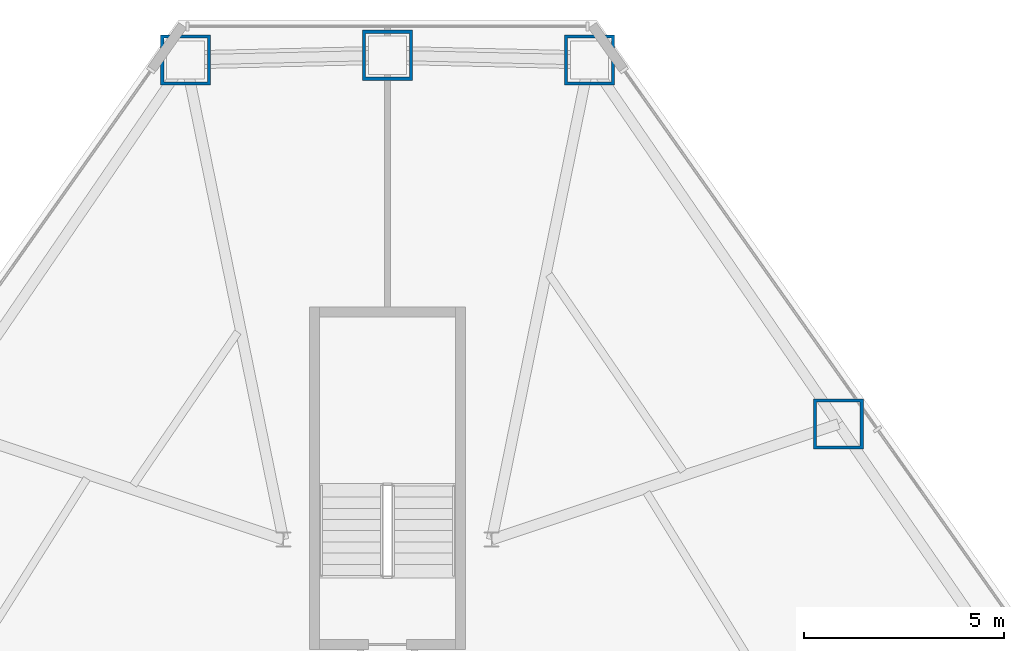
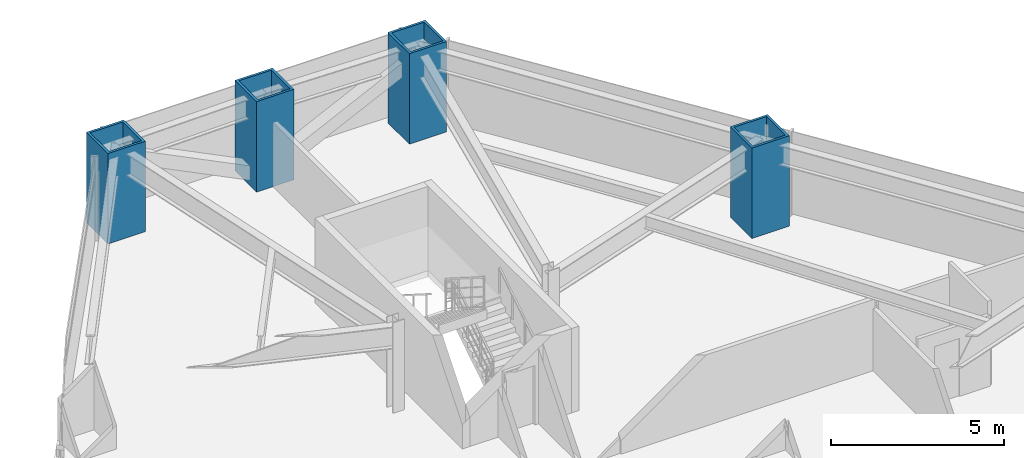
# One storey, part 3 of 12: 4 columns.
"""IFC4 building model written with IfcOpenShell, lengths in metres."""

import ifcopenshell
import ifcopenshell.guid

model = None  # the IFC model being written
_history = None  # IfcOwnerHistory: only IFC2X3 demands one
_inside = {}  # id of a spatial element -> (the spatial element, [elements in it])
_under = {}  # id of a project, library or spatial element -> (it, [spatial elements below it])
_declared = {}  # id of a project -> (the project, [libraries it declares])
_typed = {}  # id of a type object -> (the type object, [elements of that type])
_made_of = {}  # id of a material, layer set ... -> (it, [elements and type objects made of it])


def new_model(schema):
    """Start an empty IFC model of exactly this schema.

    Asked for "IFC4X3", IfcOpenShell would pick the latest addendum, in which some entities
    have other attributes; the version numbers below select the first issue.
    IFC2X3 requires an IfcOwnerHistory on every rooted entity: one is made here for all.
    """
    global model, _history
    if schema == "IFC4X3":
        model = ifcopenshell.file(schema_version=(4, 3, 0, 0))
    else:
        model = ifcopenshell.file(schema=schema)
    _inside.clear()
    _under.clear()
    _declared.clear()
    _typed.clear()
    _made_of.clear()
    _history = None
    if model.schema == "IFC2X3":
        org = make("IfcOrganization", Name="unknown")
        user = make(
            "IfcPersonAndOrganization",
            ThePerson=make("IfcPerson", FamilyName="unknown"),
            TheOrganization=org,
        )
        app = make(
            "IfcApplication",
            ApplicationDeveloper=org,
            Version="unknown",
            ApplicationFullName="unknown",
            ApplicationIdentifier="unknown",
        )
        _history = make(
            "IfcOwnerHistory",
            OwningUser=user,
            OwningApplication=app,
            ChangeAction="ADDED",
            CreationDate=0,
        )
    return model


def make(cls, **values):
    """One entity of the class cls with the attributes given. An attribute that is None is left unset."""
    return model.create_entity(
        cls, **{name: value for name, value in values.items() if value is not None}
    )


def rooted(cls, **values):
    """An entity with a GlobalId (a new one), such as an element, a storey or a relation."""
    return make(cls, GlobalId=ifcopenshell.guid.new(), OwnerHistory=_history, **values)


def si_unit(unit_type, name, prefix=None):
    """IfcSIUnit, for example si_unit("LENGTHUNIT", "METRE", prefix="MILLI")."""
    return make("IfcSIUnit", UnitType=unit_type, Prefix=prefix, Name=name)


def assignment(units):
    """IfcUnitAssignment: the units of a project."""
    return None if units is None else make("IfcUnitAssignment", Units=units)


def point(xyz):
    """IfcCartesianPoint."""
    return None if xyz is None else make("IfcCartesianPoint", Coordinates=xyz)


def direction(xyz):
    """IfcDirection."""
    return None if xyz is None else make("IfcDirection", DirectionRatios=xyz)


def frame(location, z_axis=None, x_axis=None):
    """IfcAxis2Placement3D, a coordinate frame: its origin and axes. An axis left out is left unset."""
    return make(
        "IfcAxis2Placement3D",
        Location=point(location),
        Axis=direction(z_axis),
        RefDirection=direction(x_axis),
    )


def frame_2d(location, x_axis=None):
    """IfcAxis2Placement2D, a coordinate frame in the plane: its origin and x axis."""
    return make(
        "IfcAxis2Placement2D", Location=point(location), RefDirection=direction(x_axis)
    )


def origin():
    """The frame at (0, 0, 0) with its axes left unset."""
    return frame((0.0, 0.0, 0.0))


def origin_2d():
    """The frame at (0, 0) in the plane with its x axis left unset."""
    return frame_2d((0.0, 0.0))


def place(relative_to, where):
    """IfcLocalPlacement: puts the frame where relative to a parent placement (None: the world)."""
    return make(
        "IfcLocalPlacement", PlacementRelTo=relative_to, RelativePlacement=where
    )


def context(
    kind, dimensions, precision=None, world=None, true_north=None, identifier=None
):
    """IfcGeometricRepresentationContext, for example the 3D "Model" context."""
    return make(
        "IfcGeometricRepresentationContext",
        ContextIdentifier=identifier,
        ContextType=kind,
        CoordinateSpaceDimension=dimensions,
        Precision=precision,
        WorldCoordinateSystem=world,
        TrueNorth=true_north,
    )


def subcontext(parent, identifier, kind, view, scale=None):
    """IfcGeometricRepresentationSubContext, for example "Body" below "Model"."""
    return make(
        "IfcGeometricRepresentationSubContext",
        ContextIdentifier=identifier,
        ContextType=kind,
        ParentContext=parent,
        TargetScale=scale,
        TargetView=view,
    )


def project(units=None, contexts=None):
    """IfcProject with its units and contexts."""
    return rooted(
        "IfcProject",
        Name="project",
        RepresentationContexts=contexts,
        UnitsInContext=assignment(units),
    )


def spatial(cls, under=None, at=None, **own):
    """A site, building, storey or space (cls), placed at a placement, below another one or the project."""
    s = rooted(cls, ObjectPlacement=at, **own)
    if under is not None:
        _under.setdefault(under.id(), (under, []))[1].append(s)
    return s


def profile(cls, at=None, kind="AREA", **sizes):
    """A parametric profile (cls). Its sizes go by their IFC names, for example OverallWidth=200.0."""
    return make(cls, ProfileType=kind, Position=at, **sizes)


def hollow_rectangle(**sizes):
    """IfcRectangleHollowProfileDef."""
    return profile("IfcRectangleHollowProfileDef", **sizes)


def extrude(swept, where, along, depth):
    """IfcExtrudedAreaSolid: the profile swept, set in the frame where, extruded along a direction by depth."""
    return make(
        "IfcExtrudedAreaSolid",
        SweptArea=swept,
        Position=where,
        ExtrudedDirection=direction(along),
        Depth=depth,
    )


def shape(context_of_items, identifier, shape_type, items):
    """IfcShapeRepresentation: the items that make up one representation, for example the "Body"."""
    return make(
        "IfcShapeRepresentation",
        ContextOfItems=context_of_items,
        RepresentationIdentifier=identifier,
        RepresentationType=shape_type,
        Items=items,
    )


def material(Name=None, Category=None):
    """IfcMaterial."""
    return make("IfcMaterial", Name=Name, Category=Category)


def material_profile(
    of_material, cross_section, Name=None, Category=None, Priority=None
):
    """IfcMaterialProfile: a cross section and its material."""
    return make(
        "IfcMaterialProfile",
        Name=Name,
        Material=of_material,
        Profile=cross_section,
        Priority=Priority,
        Category=Category,
    )


def profile_set(profiles, Name=None, composite=None):
    """IfcMaterialProfileSet."""
    return make(
        "IfcMaterialProfileSet",
        Name=Name,
        MaterialProfiles=profiles,
        CompositeProfile=composite,
    )


def made_of(thing, what):
    """Note that an element or type object is made of a material, layer set ...; save() writes the relation."""
    if what is not None:
        _made_of.setdefault(what.id(), (what, []))[1].append(thing)
    return thing


def type_object(cls, material=None, **own):
    """A type object (cls), such as IfcWallType, which elements share."""
    return made_of(rooted(cls, **own), material)


def element(
    cls,
    number,
    at=None,
    inside=None,
    cuts=None,
    type_object=None,
    material=None,
    context=None,
    identifier="Body",
    shape_type=None,
    held_by="IfcProductDefinitionShape",
    body=None,
    shapes=None,
    **own,
):
    """One element of the class cls, such as IfcWall. Its Tag is "e" and its number.

    at: its placement. inside: the storey or other place that contains it. cuts: it is an
    opening in that element (IfcRelVoidsElement). A single representation is given by context,
    identifier, shape_type and body (its items); several are given by shapes. held_by: the class
    of the entity that holds the representations. save() writes the other relations.
    """
    e = rooted(cls, Tag="e%d" % number, ObjectPlacement=at, **own)
    if body is not None:
        shapes = [shape(context, identifier, shape_type, body)]
    if shapes is not None:
        e.Representation = make(held_by, Representations=shapes)
    if inside is not None:
        _inside.setdefault(inside.id(), (inside, []))[1].append(e)
    if cuts is not None:
        rooted(
            "IfcRelVoidsElement", RelatingBuildingElement=cuts, RelatedOpeningElement=e
        )
    if type_object is not None:
        _typed.setdefault(type_object.id(), (type_object, []))[1].append(e)
    return made_of(e, material)


def aggregate(whole, parts):
    """IfcRelAggregates: a whole, such as a stair, and the parts it consists of."""
    return rooted("IfcRelAggregates", RelatingObject=whole, RelatedObjects=parts)


def save(model, path):
    """Write the relations noted so far, then the file.

    IfcRelAggregates (storeys below a building ...), IfcRelContainedInSpatialStructure (elements
    in a storey), IfcRelDefinesByType, IfcRelAssociatesMaterial and IfcRelDeclares: one each for
    every whole, place, type object, material and project.
    """
    for whole, parts in _under.values():
        aggregate(whole, parts)
    for where, things in _inside.values():
        rooted(
            "IfcRelContainedInSpatialStructure",
            RelatedElements=things,
            RelatingStructure=where,
        )
    for kind, things in _typed.values():
        rooted("IfcRelDefinesByType", RelatedObjects=things, RelatingType=kind)
    for what, things in _made_of.values():
        rooted("IfcRelAssociatesMaterial", RelatedObjects=things, RelatingMaterial=what)
    for by, libraries in _declared.values():
        rooted("IfcRelDeclares", RelatingContext=by, RelatedDefinitions=libraries)
    model.write(path)


model = new_model("IFC4")

# Units and contexts
model_context = context("Model", 3, precision=1e-05, world=origin(), true_north=direction((0.0, 1.0)))
body_context = subcontext(model_context, "Body", "Model", "MODEL_VIEW")
ifc_project = project(units=[si_unit("LENGTHUNIT", "METRE"), si_unit("AREAUNIT", "SQUARE_METRE"), si_unit("VOLUMEUNIT", "CUBIC_METRE"), si_unit("PLANEANGLEUNIT", "RADIAN"), si_unit("MASSUNIT", "GRAM", prefix="KILO")], contexts=[model_context])

# Site, building, storey
site_placement = place(None, origin())
site = spatial("IfcSite", under=ifc_project, at=site_placement, CompositionType="ELEMENT")
building_placement = place(site_placement, origin())
building = spatial("IfcBuilding", under=site, at=building_placement, Name="Varakhsha Concourse Tower", CompositionType="ELEMENT")
storey_placement = place(building_placement, frame((0.0, 0.0, 43.199951171875)))
storey = spatial("IfcBuildingStorey", under=building, at=storey_placement, Name="L11", CompositionType="ELEMENT", Elevation=43.199951171875)

# Columns
ifc_material = material(Name="Structural Steel ASTM A572 Grade 50", Category="steel")
ifc_material_profile = material_profile(ifc_material, hollow_rectangle(XDim=1.25, YDim=1.25, WallThickness=0.080078125, at=origin_2d()), Name="BOX 1250x1250x80")
ifc_profile_set = profile_set([ifc_material_profile], Name="Structural Steel ASTM A572 Grade 50")
column_type = type_object("IfcColumnType", Name="CL-TUBE-1250", PredefinedType="COLUMN", material=ifc_profile_set)
for number, where, z_axis, x_axis, name in (
    (1, (45.040771484375, 53.171630859375, 0.0), (0.0, 0.0, 1.0), (1.0, 0.0, 0.0), "L11 Framed-Tube Column TC01"),
    (2, (40.0, 53.28857421875, 0.0), (0.0, 0.0, 1.0), (1.0, 0.0, 0.0), "L11 Framed-Tube Column TC02"),
    (3, (34.959228515625, 53.171630859375, 0.0), (0.0, 0.0, 1.0), (1.0, 0.0, 0.0), "L11 Framed-Tube Column TC03"),
    (4, (51.25390625, 44.084228515625, 0.0), (0.0, 0.0, 1.0), (1.0, 0.0, 0.0), "L11 Framed-Tube Column TC18"),
):
    element("IfcColumn", number, at=place(storey_placement, frame(where, z_axis=z_axis, x_axis=x_axis)), inside=storey, type_object=column_type, Name=name, PredefinedType="COLUMN", context=body_context, shape_type="SweptSolid", body=[
        extrude(hollow_rectangle(XDim=1.25, YDim=1.25, WallThickness=0.080078125, at=origin_2d()), origin(), (0.0, 0.0, 1.0), 3.199951171875),
    ])

save(model, "model.ifc")
